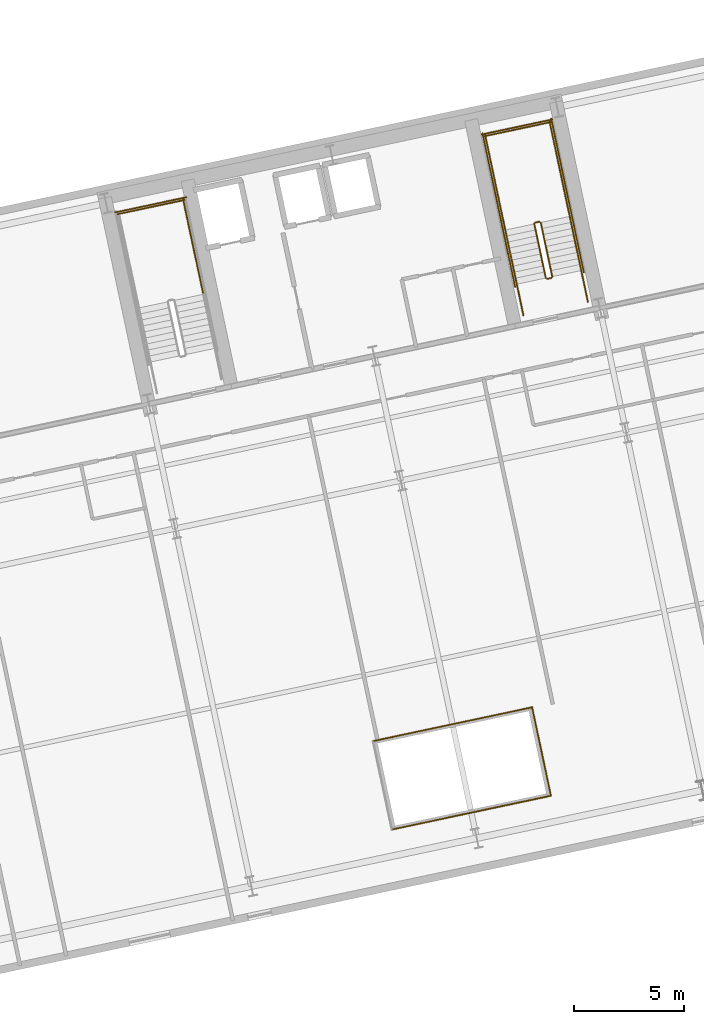
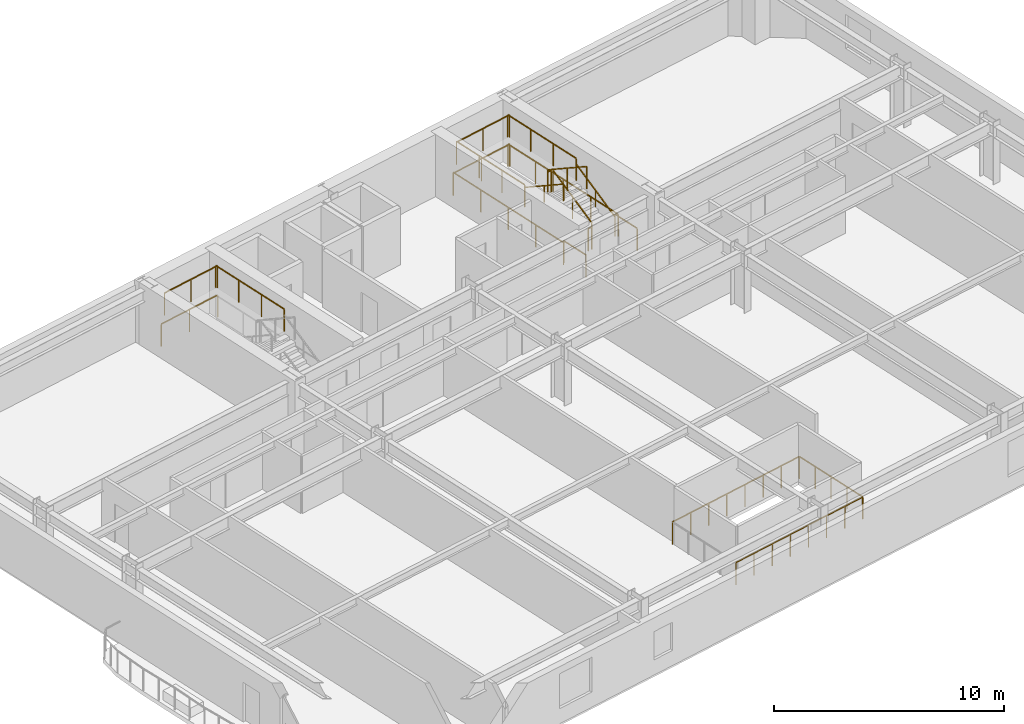
# One storey, part 16 of 17: 20 railings.
"""IFC4 building model written with IfcOpenShell, lengths in metres."""

import ifcopenshell
import ifcopenshell.guid

model = None  # the IFC model being written
_history = None  # IfcOwnerHistory: only IFC2X3 demands one
_inside = {}  # id of a spatial element -> (the spatial element, [elements in it])
_under = {}  # id of a project, library or spatial element -> (it, [spatial elements below it])
_declared = {}  # id of a project -> (the project, [libraries it declares])
_typed = {}  # id of a type object -> (the type object, [elements of that type])
_made_of = {}  # id of a material, layer set ... -> (it, [elements and type objects made of it])


def new_model(schema):
    """Start an empty IFC model of exactly this schema.

    Asked for "IFC4X3", IfcOpenShell would pick the latest addendum, in which some entities
    have other attributes; the version numbers below select the first issue.
    IFC2X3 requires an IfcOwnerHistory on every rooted entity: one is made here for all.
    """
    global model, _history
    if schema == "IFC4X3":
        model = ifcopenshell.file(schema_version=(4, 3, 0, 0))
    else:
        model = ifcopenshell.file(schema=schema)
    _inside.clear()
    _under.clear()
    _declared.clear()
    _typed.clear()
    _made_of.clear()
    _history = None
    if model.schema == "IFC2X3":
        org = make("IfcOrganization", Name="unknown")
        user = make(
            "IfcPersonAndOrganization",
            ThePerson=make("IfcPerson", FamilyName="unknown"),
            TheOrganization=org,
        )
        app = make(
            "IfcApplication",
            ApplicationDeveloper=org,
            Version="unknown",
            ApplicationFullName="unknown",
            ApplicationIdentifier="unknown",
        )
        _history = make(
            "IfcOwnerHistory",
            OwningUser=user,
            OwningApplication=app,
            ChangeAction="ADDED",
            CreationDate=0,
        )
    return model


def make(cls, **values):
    """One entity of the class cls with the attributes given. An attribute that is None is left unset."""
    return model.create_entity(
        cls, **{name: value for name, value in values.items() if value is not None}
    )


def rooted(cls, **values):
    """An entity with a GlobalId (a new one), such as an element, a storey or a relation."""
    return make(cls, GlobalId=ifcopenshell.guid.new(), OwnerHistory=_history, **values)


def si_unit(unit_type, name, prefix=None):
    """IfcSIUnit, for example si_unit("LENGTHUNIT", "METRE", prefix="MILLI")."""
    return make("IfcSIUnit", UnitType=unit_type, Prefix=prefix, Name=name)


def assignment(units):
    """IfcUnitAssignment: the units of a project."""
    return None if units is None else make("IfcUnitAssignment", Units=units)


def point(xyz):
    """IfcCartesianPoint."""
    return None if xyz is None else make("IfcCartesianPoint", Coordinates=xyz)


def direction(xyz):
    """IfcDirection."""
    return None if xyz is None else make("IfcDirection", DirectionRatios=xyz)


def frame(location, z_axis=None, x_axis=None):
    """IfcAxis2Placement3D, a coordinate frame: its origin and axes. An axis left out is left unset."""
    return make(
        "IfcAxis2Placement3D",
        Location=point(location),
        Axis=direction(z_axis),
        RefDirection=direction(x_axis),
    )


def frame_2d(location, x_axis=None):
    """IfcAxis2Placement2D, a coordinate frame in the plane: its origin and x axis."""
    return make(
        "IfcAxis2Placement2D", Location=point(location), RefDirection=direction(x_axis)
    )


def origin():
    """The frame at (0, 0, 0) with its axes left unset."""
    return frame((0.0, 0.0, 0.0))


def origin_2d():
    """The frame at (0, 0) in the plane with its x axis left unset."""
    return frame_2d((0.0, 0.0))


def place(relative_to, where):
    """IfcLocalPlacement: puts the frame where relative to a parent placement (None: the world)."""
    return make(
        "IfcLocalPlacement", PlacementRelTo=relative_to, RelativePlacement=where
    )


def context(
    kind, dimensions, precision=None, world=None, true_north=None, identifier=None
):
    """IfcGeometricRepresentationContext, for example the 3D "Model" context."""
    return make(
        "IfcGeometricRepresentationContext",
        ContextIdentifier=identifier,
        ContextType=kind,
        CoordinateSpaceDimension=dimensions,
        Precision=precision,
        WorldCoordinateSystem=world,
        TrueNorth=true_north,
    )


def subcontext(parent, identifier, kind, view, scale=None):
    """IfcGeometricRepresentationSubContext, for example "Body" below "Model"."""
    return make(
        "IfcGeometricRepresentationSubContext",
        ContextIdentifier=identifier,
        ContextType=kind,
        ParentContext=parent,
        TargetScale=scale,
        TargetView=view,
    )


def project(units=None, contexts=None):
    """IfcProject with its units and contexts."""
    return rooted(
        "IfcProject",
        Name="project",
        RepresentationContexts=contexts,
        UnitsInContext=assignment(units),
    )


def spatial(cls, under=None, at=None, **own):
    """A site, building, storey or space (cls), placed at a placement, below another one or the project."""
    s = rooted(cls, ObjectPlacement=at, **own)
    if under is not None:
        _under.setdefault(under.id(), (under, []))[1].append(s)
    return s


def profile(cls, at=None, kind="AREA", **sizes):
    """A parametric profile (cls). Its sizes go by their IFC names, for example OverallWidth=200.0."""
    return make(cls, ProfileType=kind, Position=at, **sizes)


def rectangle(**sizes):
    """IfcRectangleProfileDef."""
    return profile("IfcRectangleProfileDef", **sizes)


def extrude(swept, where, along, depth):
    """IfcExtrudedAreaSolid: the profile swept, set in the frame where, extruded along a direction by depth."""
    return make(
        "IfcExtrudedAreaSolid",
        SweptArea=swept,
        Position=where,
        ExtrudedDirection=direction(along),
        Depth=depth,
    )


def shape(context_of_items, identifier, shape_type, items):
    """IfcShapeRepresentation: the items that make up one representation, for example the "Body"."""
    return make(
        "IfcShapeRepresentation",
        ContextOfItems=context_of_items,
        RepresentationIdentifier=identifier,
        RepresentationType=shape_type,
        Items=items,
    )


def material(Name=None, Category=None):
    """IfcMaterial."""
    return make("IfcMaterial", Name=Name, Category=Category)


def made_of(thing, what):
    """Note that an element or type object is made of a material, layer set ...; save() writes the relation."""
    if what is not None:
        _made_of.setdefault(what.id(), (what, []))[1].append(thing)
    return thing


def type_object(cls, material=None, **own):
    """A type object (cls), such as IfcWallType, which elements share."""
    return made_of(rooted(cls, **own), material)


def element(
    cls,
    number,
    at=None,
    inside=None,
    cuts=None,
    type_object=None,
    material=None,
    context=None,
    identifier="Body",
    shape_type=None,
    held_by="IfcProductDefinitionShape",
    body=None,
    shapes=None,
    **own,
):
    """One element of the class cls, such as IfcWall. Its Tag is "e" and its number.

    at: its placement. inside: the storey or other place that contains it. cuts: it is an
    opening in that element (IfcRelVoidsElement). A single representation is given by context,
    identifier, shape_type and body (its items); several are given by shapes. held_by: the class
    of the entity that holds the representations. save() writes the other relations.
    """
    e = rooted(cls, Tag="e%d" % number, ObjectPlacement=at, **own)
    if body is not None:
        shapes = [shape(context, identifier, shape_type, body)]
    if shapes is not None:
        e.Representation = make(held_by, Representations=shapes)
    if inside is not None:
        _inside.setdefault(inside.id(), (inside, []))[1].append(e)
    if cuts is not None:
        rooted(
            "IfcRelVoidsElement", RelatingBuildingElement=cuts, RelatedOpeningElement=e
        )
    if type_object is not None:
        _typed.setdefault(type_object.id(), (type_object, []))[1].append(e)
    return made_of(e, material)


def aggregate(whole, parts):
    """IfcRelAggregates: a whole, such as a stair, and the parts it consists of."""
    return rooted("IfcRelAggregates", RelatingObject=whole, RelatedObjects=parts)


def save(model, path):
    """Write the relations noted so far, then the file.

    IfcRelAggregates (storeys below a building ...), IfcRelContainedInSpatialStructure (elements
    in a storey), IfcRelDefinesByType, IfcRelAssociatesMaterial and IfcRelDeclares: one each for
    every whole, place, type object, material and project.
    """
    for whole, parts in _under.values():
        aggregate(whole, parts)
    for where, things in _inside.values():
        rooted(
            "IfcRelContainedInSpatialStructure",
            RelatedElements=things,
            RelatingStructure=where,
        )
    for kind, things in _typed.values():
        rooted("IfcRelDefinesByType", RelatedObjects=things, RelatingType=kind)
    for what, things in _made_of.values():
        rooted("IfcRelAssociatesMaterial", RelatedObjects=things, RelatingMaterial=what)
    for by, libraries in _declared.values():
        rooted("IfcRelDeclares", RelatingContext=by, RelatedDefinitions=libraries)
    model.write(path)


model = new_model("IFC4")

# Units and contexts
model_context = context("Model", 3, precision=1e-05, world=origin(), true_north=direction((0.0, 1.0)))
body_context = subcontext(model_context, "Body", "Model", "MODEL_VIEW")
ifc_project = project(units=[si_unit("LENGTHUNIT", "METRE"), si_unit("AREAUNIT", "SQUARE_METRE"), si_unit("VOLUMEUNIT", "CUBIC_METRE"), si_unit("PLANEANGLEUNIT", "RADIAN"), si_unit("MASSUNIT", "GRAM", prefix="KILO")], contexts=[model_context])

# Site, building, storey
site_placement = place(None, origin())
site = spatial("IfcSite", under=ifc_project, at=site_placement, CompositionType="ELEMENT")
building_placement = place(site_placement, origin())
building = spatial("IfcBuilding", under=site, at=building_placement, Name="Haevon Station Towers", CompositionType="ELEMENT")
storey_placement = place(building_placement, frame((0.0, 0.0, 37.199951171875)))
storey = spatial("IfcBuildingStorey", under=building, at=storey_placement, Name="L08", CompositionType="ELEMENT", Elevation=37.199951171875)

# Railings
ifc_material = material(Name="Steel S355", Category="steel")
railing_type_1 = type_object("IfcRailingType", Name="BAL-ATR1200", PredefinedType="BALUSTRADE", material=ifc_material)
railing_1_placement = place(storey_placement, frame((109.81884765625, 18.0615234375, 0.0)))
element("IfcRailing", 1, at=railing_1_placement, inside=storey, type_object=railing_type_1, Name="L08 Atrium Void Balustrade 1", PredefinedType="BALUSTRADE", context=body_context, shape_type="SweptSolid", body=[
    extrude(rectangle(XDim=0.048095703125, YDim=0.048095703125, at=origin_2d()), frame((0.0, 0.0, 1.17578125), z_axis=(0.978148717371, 0.207906437384, 0.0), x_axis=(-0.207906437384, 0.978148717371, 0.0)), (0.0, 0.0, 1.0), 7.40966796875),
    extrude(rectangle(XDim=0.0419921875, YDim=0.0419921875, at=origin_2d()), origin(), (0.0, 0.0, 1.0), 1.15185546875),
    extrude(rectangle(XDim=0.0419921875, YDim=0.0419921875, at=origin_2d()), frame((1.035400390625, 0.219970703125, 0.0)), (0.0, 0.0, 1.0), 1.15185546875),
    extrude(rectangle(XDim=0.0419921875, YDim=0.0419921875, at=origin_2d()), frame((2.07080078125, 0.440185546875, 0.0)), (0.0, 0.0, 1.0), 1.15185546875),
    extrude(rectangle(XDim=0.0419921875, YDim=0.0419921875, at=origin_2d()), frame((3.106201171875, 0.66015625, 0.0)), (0.0, 0.0, 1.0), 1.15185546875),
    extrude(rectangle(XDim=0.0419921875, YDim=0.0419921875, at=origin_2d()), frame((4.1416015625, 0.88037109375, 0.0)), (0.0, 0.0, 1.0), 1.15185546875),
    extrude(rectangle(XDim=0.0419921875, YDim=0.0419921875, at=origin_2d()), frame((5.177001953125, 1.100341796875, 0.0)), (0.0, 0.0, 1.0), 1.15185546875),
    extrude(rectangle(XDim=0.0419921875, YDim=0.0419921875, at=origin_2d()), frame((6.21240234375, 1.320556640625, 0.0)), (0.0, 0.0, 1.0), 1.15185546875),
    extrude(rectangle(XDim=0.0419921875, YDim=0.0419921875, at=origin_2d()), frame((7.247802734375, 1.54052734375, 0.0)), (0.0, 0.0, 1.0), 1.15185546875),
])
railing_2_placement = place(storey_placement, frame((117.066650390625, 19.60205078125, 0.0)))
element("IfcRailing", 2, at=railing_2_placement, inside=storey, type_object=railing_type_1, Name="L08 Atrium Void Balustrade 2", PredefinedType="BALUSTRADE", context=body_context, shape_type="SweptSolid", body=[
    extrude(rectangle(XDim=0.048095703125, YDim=0.048095703125, at=origin_2d()), frame((0.0, 0.0, 1.17578125), z_axis=(-0.207928976297, 0.978143926432, 0.0), x_axis=(-0.978143926432, -0.207928976297, 0.0)), (0.0, 0.0, 1.0), 4.11669921875),
    extrude(rectangle(XDim=0.0419921875, YDim=0.0419921875, at=origin_2d()), origin(), (0.0, 0.0, 1.0), 1.15185546875),
    extrude(rectangle(XDim=0.0419921875, YDim=0.0419921875, at=origin_2d()), frame((-0.2138671875, 1.006591796875, 0.0)), (0.0, 0.0, 1.0), 1.15185546875),
    extrude(rectangle(XDim=0.0419921875, YDim=0.0419921875, at=origin_2d()), frame((-0.427978515625, 2.01318359375, 0.0)), (0.0, 0.0, 1.0), 1.15185546875),
    extrude(rectangle(XDim=0.0419921875, YDim=0.0419921875, at=origin_2d()), frame((-0.64208984375, 3.02001953125, 0.0)), (0.0, 0.0, 1.0), 1.15185546875),
    extrude(rectangle(XDim=0.0419921875, YDim=0.0419921875, at=origin_2d()), frame((-0.85595703125, 4.026611328125, 0.0)), (0.0, 0.0, 1.0), 1.15185546875),
])
railing_3_placement = place(storey_placement, frame((116.210693359375, 23.628662109375, 0.0)))
element("IfcRailing", 3, at=railing_3_placement, inside=storey, type_object=railing_type_1, Name="L08 Atrium Void Balustrade 3", PredefinedType="BALUSTRADE", context=body_context, shape_type="SweptSolid", body=[
    extrude(rectangle(XDim=0.048095703125, YDim=0.048095703125, at=origin_2d()), frame((0.0, 0.0, 1.17578125), z_axis=(-0.978148717371, -0.207906437384, 0.0), x_axis=(0.207906437384, -0.978148717371, 0.0)), (0.0, 0.0, 1.0), 7.40966796875),
    extrude(rectangle(XDim=0.0419921875, YDim=0.0419921875, at=origin_2d()), origin(), (0.0, 0.0, 1.0), 1.15185546875),
    extrude(rectangle(XDim=0.0419921875, YDim=0.0419921875, at=origin_2d()), frame((-1.035400390625, -0.219970703125, 0.0)), (0.0, 0.0, 1.0), 1.15185546875),
    extrude(rectangle(XDim=0.0419921875, YDim=0.0419921875, at=origin_2d()), frame((-2.07080078125, -0.440185546875, 0.0)), (0.0, 0.0, 1.0), 1.15185546875),
    extrude(rectangle(XDim=0.0419921875, YDim=0.0419921875, at=origin_2d()), frame((-3.106201171875, -0.66015625, 0.0)), (0.0, 0.0, 1.0), 1.15185546875),
    extrude(rectangle(XDim=0.0419921875, YDim=0.0419921875, at=origin_2d()), frame((-4.1416015625, -0.88037109375, 0.0)), (0.0, 0.0, 1.0), 1.15185546875),
    extrude(rectangle(XDim=0.0419921875, YDim=0.0419921875, at=origin_2d()), frame((-5.177001953125, -1.100341796875, 0.0)), (0.0, 0.0, 1.0), 1.15185546875),
    extrude(rectangle(XDim=0.0419921875, YDim=0.0419921875, at=origin_2d()), frame((-6.21240234375, -1.320556640625, 0.0)), (0.0, 0.0, 1.0), 1.15185546875),
    extrude(rectangle(XDim=0.0419921875, YDim=0.0419921875, at=origin_2d()), frame((-7.247802734375, -1.54052734375, 0.0)), (0.0, 0.0, 1.0), 1.15185546875),
])
railing_type_2 = type_object("IfcRailingType", Name="GRD-STR1200", PredefinedType="GUARDRAIL", material=ifc_material)
railing_4_placement = place(storey_placement, frame((101.238037109375, 42.4384765625, 1.650146484375)))
element("IfcRailing", 4, at=railing_4_placement, inside=storey, type_object=railing_type_2, Name="L08 ST3 Stair Guard 3", PredefinedType="GUARDRAIL", context=body_context, shape_type="SweptSolid", body=[
    extrude(rectangle(XDim=0.048095703125, YDim=0.048095703125, at=origin_2d()), frame((0.0, 0.0, 1.17578125), z_axis=(-0.20794048909, 0.978141479029, 0.0), x_axis=(-0.978141479029, -0.20794048909, 0.0)), (0.0, 0.0, 1.0), 4.429931640625),
    extrude(rectangle(XDim=0.0419921875, YDim=0.0419921875, at=origin_2d()), origin(), (0.0, 0.0, 1.0), 1.15185546875),
    extrude(rectangle(XDim=0.0419921875, YDim=0.0419921875, at=origin_2d()), frame((-0.30712890625, 1.4443359375, 0.0)), (0.0, 0.0, 1.0), 1.15185546875),
    extrude(rectangle(XDim=0.0419921875, YDim=0.0419921875, at=origin_2d()), frame((-0.614013671875, 2.888671875, 0.0)), (0.0, 0.0, 1.0), 1.15185546875),
    extrude(rectangle(XDim=0.0419921875, YDim=0.0419921875, at=origin_2d()), frame((-0.921142578125, 4.3330078125, 0.0)), (0.0, 0.0, 1.0), 1.15185546875),
])
railing_5_placement = place(storey_placement, frame((100.376220703125, 46.733154296875, 1.650146484375)))
element("IfcRailing", 5, at=railing_5_placement, inside=storey, type_object=railing_type_2, Name="L08 ST3 Stair Guard 5", PredefinedType="GUARDRAIL", context=body_context, shape_type="SweptSolid", body=[
    extrude(rectangle(XDim=0.048095703125, YDim=0.048095703125, at=origin_2d()), frame((0.0, 0.0, 1.17578125), z_axis=(-0.978146839882, -0.207915270313, 0.0), x_axis=(0.207915270313, -0.978146839882, 0.0)), (0.0, 0.0, 1.0), 3.099853515625),
    extrude(rectangle(XDim=0.0419921875, YDim=0.0419921875, at=origin_2d()), origin(), (0.0, 0.0, 1.0), 1.15185546875),
    extrude(rectangle(XDim=0.0419921875, YDim=0.0419921875, at=origin_2d()), frame((-1.51611328125, -0.322265625, 0.0)), (0.0, 0.0, 1.0), 1.15185546875),
    extrude(rectangle(XDim=0.0419921875, YDim=0.0419921875, at=origin_2d()), frame((-3.0322265625, -0.64453125, 0.0)), (0.0, 0.0, 1.0), 1.15185546875),
])
railing_6_placement = place(storey_placement, frame((100.453125, 46.8515625, 0.0)))
element("IfcRailing", 6, at=railing_6_placement, inside=storey, type_object=railing_type_2, Name="L08 ST3 Stair Guard 12", PredefinedType="GUARDRAIL", context=body_context, shape_type="SweptSolid", body=[
    extrude(rectangle(XDim=0.048095703125, YDim=0.048095703125, at=origin_2d()), frame((0.0, 0.0, 1.17578125), z_axis=(-0.978150764849, -0.207896804268, 0.0), x_axis=(0.207896804268, -0.978150764849, 0.0)), (0.0, 0.0, 1.0), 3.2998046875),
    extrude(rectangle(XDim=0.0419921875, YDim=0.0419921875, at=origin_2d()), origin(), (0.0, 0.0, 1.0), 1.15185546875),
    extrude(rectangle(XDim=0.0419921875, YDim=0.0419921875, at=origin_2d()), frame((-1.61376953125, -0.343017578125, 0.0)), (0.0, 0.0, 1.0), 1.15185546875),
    extrude(rectangle(XDim=0.0419921875, YDim=0.0419921875, at=origin_2d()), frame((-3.227783203125, -0.68603515625, 0.0)), (0.0, 0.0, 1.0), 1.15185546875),
])
railing_7_placement = place(storey_placement, frame((117.128662109375, 43.23974609375, 0.1650390625)))
element("IfcRailing", 7, at=railing_7_placement, inside=storey, type_object=railing_type_2, Name="L08 ST4 Stair Guard 1", PredefinedType="GUARDRAIL", context=body_context, shape_type="SweptSolid", body=[
    extrude(rectangle(XDim=0.048095703125, YDim=0.048095703125, at=origin_2d()), frame((0.0, 0.0, 1.17578125), z_axis=(-0.179121265225, 0.842687928106, 0.507732831485), x_axis=(-0.978147030254, -0.207914374695, 0.0)), (0.0, 0.0, 1.0), 2.925048828125),
    extrude(rectangle(XDim=0.0419921875, YDim=0.0419921875, at=origin_2d()), origin(), (0.0, 0.0, 1.0), 1.15185546875),
    extrude(rectangle(XDim=0.0419921875, YDim=0.0419921875, at=origin_2d()), frame((-0.261962890625, 1.232421875, 0.74267578125)), (0.0, 0.0, 1.0), 1.15185546875),
    extrude(rectangle(XDim=0.0419921875, YDim=0.0419921875, at=origin_2d()), frame((-0.52392578125, 2.46484375, 1.485107421875)), (0.0, 0.0, 1.0), 1.15185546875),
])
railing_8_placement = place(storey_placement, frame((116.54541015625, 45.7431640625, 1.650146484375)))
element("IfcRailing", 8, at=railing_8_placement, inside=storey, type_object=railing_type_2, Name="L08 ST4 Stair Guard 2", PredefinedType="GUARDRAIL", context=body_context, shape_type="SweptSolid", body=[
    extrude(rectangle(XDim=0.048095703125, YDim=0.048095703125, at=origin_2d()), frame((0.0, 0.0, 1.17578125), z_axis=(-0.97826412705, -0.207362720198, 0.0), x_axis=(0.207362720198, -0.97826412705, 0.0)), (0.0, 0.0, 1.0), 0.2001953125),
    extrude(rectangle(XDim=0.0419921875, YDim=0.0419921875, at=origin_2d()), origin(), (0.0, 0.0, 1.0), 1.15185546875),
    extrude(rectangle(XDim=0.0419921875, YDim=0.0419921875, at=origin_2d()), frame((-0.19580078125, -0.04150390625, 0.0)), (0.0, 0.0, 1.0), 1.15185546875),
])
railing_9_placement = place(storey_placement, frame((117.925048828125, 45.9853515625, 1.650146484375)))
element("IfcRailing", 9, at=railing_9_placement, inside=storey, type_object=railing_type_2, Name="L08 ST4 Stair Guard 3", PredefinedType="GUARDRAIL", context=body_context, shape_type="SweptSolid", body=[
    extrude(rectangle(XDim=0.048095703125, YDim=0.048095703125, at=origin_2d()), frame((0.0, 0.0, 1.17578125), z_axis=(-0.207876551949, 0.978155069071, 0.0), x_axis=(-0.978155069071, -0.207876551949, 0.0)), (0.0, 0.0, 1.0), 4.429931640625),
    extrude(rectangle(XDim=0.0419921875, YDim=0.0419921875, at=origin_2d()), origin(), (0.0, 0.0, 1.0), 1.15185546875),
    extrude(rectangle(XDim=0.0419921875, YDim=0.0419921875, at=origin_2d()), frame((-0.306884765625, 1.4443359375, 0.0)), (0.0, 0.0, 1.0), 1.15185546875),
    extrude(rectangle(XDim=0.0419921875, YDim=0.0419921875, at=origin_2d()), frame((-0.614013671875, 2.888916015625, 0.0)), (0.0, 0.0, 1.0), 1.15185546875),
    extrude(rectangle(XDim=0.0419921875, YDim=0.0419921875, at=origin_2d()), frame((-0.9208984375, 4.333251953125, 0.0)), (0.0, 0.0, 1.0), 1.15185546875),
])
railing_10_placement = place(storey_placement, frame((114.99072265625, 45.361572265625, 1.650146484375)))
element("IfcRailing", 10, at=railing_10_placement, inside=storey, type_object=railing_type_2, Name="L08 ST4 Stair Guard 4", PredefinedType="GUARDRAIL", context=body_context, shape_type="SweptSolid", body=[
    extrude(rectangle(XDim=0.048095703125, YDim=0.048095703125, at=origin_2d()), frame((0.0, 0.0, 1.17578125), z_axis=(-0.207929280007, 0.978143861871, 0.0), x_axis=(-0.978143861871, -0.207929280007, 0.0)), (0.0, 0.0, 1.0), 4.43017578125),
    extrude(rectangle(XDim=0.0419921875, YDim=0.0419921875, at=origin_2d()), origin(), (0.0, 0.0, 1.0), 1.15185546875),
    extrude(rectangle(XDim=0.0419921875, YDim=0.0419921875, at=origin_2d()), frame((-0.30712890625, 1.4443359375, 0.0)), (0.0, 0.0, 1.0), 1.15185546875),
    extrude(rectangle(XDim=0.0419921875, YDim=0.0419921875, at=origin_2d()), frame((-0.614013671875, 2.888916015625, 0.0)), (0.0, 0.0, 1.0), 1.15185546875),
    extrude(rectangle(XDim=0.0419921875, YDim=0.0419921875, at=origin_2d()), frame((-0.921142578125, 4.333251953125, 0.0)), (0.0, 0.0, 1.0), 1.15185546875),
])
railing_11_placement = place(storey_placement, frame((117.0634765625, 50.280029296875, 1.650146484375)))
element("IfcRailing", 11, at=railing_11_placement, inside=storey, type_object=railing_type_2, Name="L08 ST4 Stair Guard 5", PredefinedType="GUARDRAIL", context=body_context, shape_type="SweptSolid", body=[
    extrude(rectangle(XDim=0.048095703125, YDim=0.048095703125, at=origin_2d()), frame((0.0, 0.0, 1.17578125), z_axis=(-0.978146839882, -0.207915270313, 0.0), x_axis=(0.207915270313, -0.978146839882, 0.0)), (0.0, 0.0, 1.0), 3.099853515625),
    extrude(rectangle(XDim=0.0419921875, YDim=0.0419921875, at=origin_2d()), origin(), (0.0, 0.0, 1.0), 1.15185546875),
    extrude(rectangle(XDim=0.0419921875, YDim=0.0419921875, at=origin_2d()), frame((-1.51611328125, -0.322265625, 0.0)), (0.0, 0.0, 1.0), 1.15185546875),
    extrude(rectangle(XDim=0.0419921875, YDim=0.0419921875, at=origin_2d()), frame((-3.0322265625, -0.64453125, 0.0)), (0.0, 0.0, 1.0), 1.15185546875),
])
railing_12_placement = place(storey_placement, frame((116.311279296875, 45.642333984375, 1.81494140625)))
element("IfcRailing", 12, at=railing_12_placement, inside=storey, type_object=railing_type_2, Name="L08 ST4 Stair Guard 6", PredefinedType="GUARDRAIL", context=body_context, shape_type="SweptSolid", body=[
    extrude(rectangle(XDim=0.048095703125, YDim=0.048095703125, at=origin_2d()), frame((0.0, 0.0, 1.17578125), z_axis=(0.179108667068, -0.842712120868, 0.50769712105), x_axis=(0.978151217824, 0.207894673017, 0.0)), (0.0, 0.0, 1.0), 2.92529296875),
    extrude(rectangle(XDim=0.0419921875, YDim=0.0419921875, at=origin_2d()), origin(), (0.0, 0.0, 1.0), 1.15185546875),
    extrude(rectangle(XDim=0.0419921875, YDim=0.0419921875, at=origin_2d()), frame((0.261962890625, -1.232421875, 0.74267578125)), (0.0, 0.0, 1.0), 1.15185546875),
    extrude(rectangle(XDim=0.0419921875, YDim=0.0419921875, at=origin_2d()), frame((0.52392578125, -2.465087890625, 1.485107421875)), (0.0, 0.0, 1.0), 1.15185546875),
])
railing_13_placement = place(storey_placement, frame((117.090087890625, 43.180419921875, 0.0)))
element("IfcRailing", 13, at=railing_13_placement, inside=storey, type_object=railing_type_2, Name="L08 ST4 Stair Guard 7", PredefinedType="GUARDRAIL", context=body_context, shape_type="SweptSolid", body=[
    extrude(rectangle(XDim=0.048095703125, YDim=0.048095703125, at=origin_2d()), frame((0.0, 0.0, 1.17578125), z_axis=(-0.978211583308, -0.207610448392, 0.0), x_axis=(0.207610448392, -0.978211583308, 0.0)), (0.0, 0.0, 1.0), 0.199951171875),
    extrude(rectangle(XDim=0.0419921875, YDim=0.0419921875, at=origin_2d()), origin(), (0.0, 0.0, 1.0), 1.15185546875),
    extrude(rectangle(XDim=0.0419921875, YDim=0.0419921875, at=origin_2d()), frame((-0.195556640625, -0.04150390625, 0.0)), (0.0, 0.0, 1.0), 1.15185546875),
])
for number, where, name in (
    (14, (118.75048828125, 42.10205078125, 0.0), "L08 ST4 Stair Guard 8"),
    (15, (115.816162109375, 41.478271484375, 0.0), "L08 ST4 Stair Guard 9"),
):
    element("IfcRailing", number, at=place(storey_placement, frame(where)), inside=storey, type_object=railing_type_2, Name=name, PredefinedType="GUARDRAIL", context=body_context, shape_type="SweptSolid", body=[
        extrude(rectangle(XDim=0.048095703125, YDim=0.048095703125, at=origin_2d()), frame((0.0, 0.0, 1.17578125), z_axis=(-0.207919161079, 0.978146012851, 0.0), x_axis=(-0.978146012851, -0.207919161079, 0.0)), (0.0, 0.0, 1.0), 1.4501953125),
        extrude(rectangle(XDim=0.0419921875, YDim=0.0419921875, at=origin_2d()), origin(), (0.0, 0.0, 1.0), 1.15185546875),
        extrude(rectangle(XDim=0.0419921875, YDim=0.0419921875, at=origin_2d()), frame((-0.301513671875, 1.41845703125, 0.0)), (0.0, 0.0, 1.0), 1.15185546875),
    ])
railing_14_placement = place(storey_placement, frame((118.567626953125, 43.443359375, 0.0)))
element("IfcRailing", 16, at=railing_14_placement, inside=storey, type_object=railing_type_2, Name="L08 ST4 Stair Guard 10", PredefinedType="GUARDRAIL", context=body_context, shape_type="SweptSolid", body=[
    extrude(rectangle(XDim=0.048095703125, YDim=0.048095703125, at=origin_2d()), frame((0.0, 0.0, 1.17578125), z_axis=(-0.207908168386, 0.978148349443, 0.0), x_axis=(-0.978148349443, -0.207908168386, 0.0)), (0.0, 0.0, 1.0), 7.150146484375),
    extrude(rectangle(XDim=0.0419921875, YDim=0.0419921875, at=origin_2d()), origin(), (0.0, 0.0, 1.0), 1.15185546875),
    extrude(rectangle(XDim=0.0419921875, YDim=0.0419921875, at=origin_2d()), frame((-0.37158203125, 1.74853515625, 0.0)), (0.0, 0.0, 1.0), 1.15185546875),
    extrude(rectangle(XDim=0.0419921875, YDim=0.0419921875, at=origin_2d()), frame((-0.7431640625, 3.4970703125, 0.0)), (0.0, 0.0, 1.0), 1.15185546875),
    extrude(rectangle(XDim=0.0419921875, YDim=0.0419921875, at=origin_2d()), frame((-1.114990234375, 5.245361328125, 0.0)), (0.0, 0.0, 1.0), 1.15185546875),
    extrude(rectangle(XDim=0.0419921875, YDim=0.0419921875, at=origin_2d()), frame((-1.486572265625, 6.993896484375, 0.0)), (0.0, 0.0, 1.0), 1.15185546875),
])
railing_15_placement = place(storey_placement, frame((115.4375, 42.778076171875, 0.0)))
element("IfcRailing", 17, at=railing_15_placement, inside=storey, type_object=railing_type_2, Name="L08 ST4 Stair Guard 11", PredefinedType="GUARDRAIL", context=body_context, shape_type="SweptSolid", body=[
    extrude(rectangle(XDim=0.048095703125, YDim=0.048095703125, at=origin_2d()), frame((0.0, 0.0, 1.17578125), z_axis=(-0.207882442208, 0.978153817261, 0.0), x_axis=(-0.978153817261, -0.207882442208, 0.0)), (0.0, 0.0, 1.0), 7.14990234375),
    extrude(rectangle(XDim=0.0419921875, YDim=0.0419921875, at=origin_2d()), origin(), (0.0, 0.0, 1.0), 1.15185546875),
    extrude(rectangle(XDim=0.0419921875, YDim=0.0419921875, at=origin_2d()), frame((-0.37158203125, 1.74853515625, 0.0)), (0.0, 0.0, 1.0), 1.15185546875),
    extrude(rectangle(XDim=0.0419921875, YDim=0.0419921875, at=origin_2d()), frame((-0.7431640625, 3.496826171875, 0.0)), (0.0, 0.0, 1.0), 1.15185546875),
    extrude(rectangle(XDim=0.0419921875, YDim=0.0419921875, at=origin_2d()), frame((-1.11474609375, 5.2451171875, 0.0)), (0.0, 0.0, 1.0), 1.15185546875),
    extrude(rectangle(XDim=0.0419921875, YDim=0.0419921875, at=origin_2d()), frame((-1.486328125, 6.99365234375, 0.0)), (0.0, 0.0, 1.0), 1.15185546875),
])
railing_16_placement = place(storey_placement, frame((117.140380859375, 50.398681640625, 0.0)))
element("IfcRailing", 18, at=railing_16_placement, inside=storey, type_object=railing_type_2, Name="L08 ST4 Stair Guard 12", PredefinedType="GUARDRAIL", context=body_context, shape_type="SweptSolid", body=[
    extrude(rectangle(XDim=0.048095703125, YDim=0.048095703125, at=origin_2d()), frame((0.0, 0.0, 1.17578125), z_axis=(-0.978135717418, -0.207967589567, 0.0), x_axis=(0.207967589567, -0.978135717418, 0.0)), (0.0, 0.0, 1.0), 3.300048828125),
    extrude(rectangle(XDim=0.0419921875, YDim=0.0419921875, at=origin_2d()), origin(), (0.0, 0.0, 1.0), 1.15185546875),
    extrude(rectangle(XDim=0.0419921875, YDim=0.0419921875, at=origin_2d()), frame((-1.61376953125, -0.34326171875, 0.0)), (0.0, 0.0, 1.0), 1.15185546875),
    extrude(rectangle(XDim=0.0419921875, YDim=0.0419921875, at=origin_2d()), frame((-3.227783203125, -0.686279296875, 0.0)), (0.0, 0.0, 1.0), 1.15185546875),
])
railing_type_3 = type_object("IfcRailingType", Name="HND-STR900", PredefinedType="HANDRAIL", material=ifc_material)
railing_17_placement = place(storey_placement, frame((118.448974609375, 43.5205078125, 0.1650390625)))
element("IfcRailing", 19, at=railing_17_placement, inside=storey, type_object=railing_type_3, Name="L08 ST4 Stair Handrail 1", PredefinedType="HANDRAIL", context=body_context, shape_type="SweptSolid", body=[
    extrude(rectangle(XDim=0.048095703125, YDim=0.048095703125, at=origin_2d()), frame((0.0, 0.0, 0.8759765625), z_axis=(-0.179121265225, 0.842687928106, 0.507732831485), x_axis=(-0.978147030254, -0.207914374695, 0.0)), (0.0, 0.0, 1.0), 2.925048828125),
    extrude(rectangle(XDim=0.0419921875, YDim=0.0419921875, at=origin_2d()), origin(), (0.0, 0.0, 1.0), 0.851806640625),
    extrude(rectangle(XDim=0.0419921875, YDim=0.0419921875, at=origin_2d()), frame((-0.261962890625, 1.232421875, 0.74267578125)), (0.0, 0.0, 1.0), 0.851806640625),
    extrude(rectangle(XDim=0.0419921875, YDim=0.0419921875, at=origin_2d()), frame((-0.52392578125, 2.46484375, 1.485107421875)), (0.0, 0.0, 1.0), 0.851806640625),
])
railing_18_placement = place(storey_placement, frame((114.99072265625, 45.361572265625, 1.81494140625)))
element("IfcRailing", 20, at=railing_18_placement, inside=storey, type_object=railing_type_3, Name="L08 ST4 Stair Handrail 2", PredefinedType="HANDRAIL", context=body_context, shape_type="SweptSolid", body=[
    extrude(rectangle(XDim=0.048095703125, YDim=0.048095703125, at=origin_2d()), frame((0.0, 0.0, 0.8759765625), z_axis=(0.179121265225, -0.842687928106, 0.507732831485), x_axis=(0.978147030254, 0.207914374695, 0.0)), (0.0, 0.0, 1.0), 2.925048828125),
    extrude(rectangle(XDim=0.0419921875, YDim=0.0419921875, at=origin_2d()), origin(), (0.0, 0.0, 1.0), 0.851806640625),
    extrude(rectangle(XDim=0.0419921875, YDim=0.0419921875, at=origin_2d()), frame((0.261962890625, -1.232421875, 0.74267578125)), (0.0, 0.0, 1.0), 0.851806640625),
    extrude(rectangle(XDim=0.0419921875, YDim=0.0419921875, at=origin_2d()), frame((0.52392578125, -2.46484375, 1.485107421875)), (0.0, 0.0, 1.0), 0.851806640625),
])

save(model, "model.ifc")
